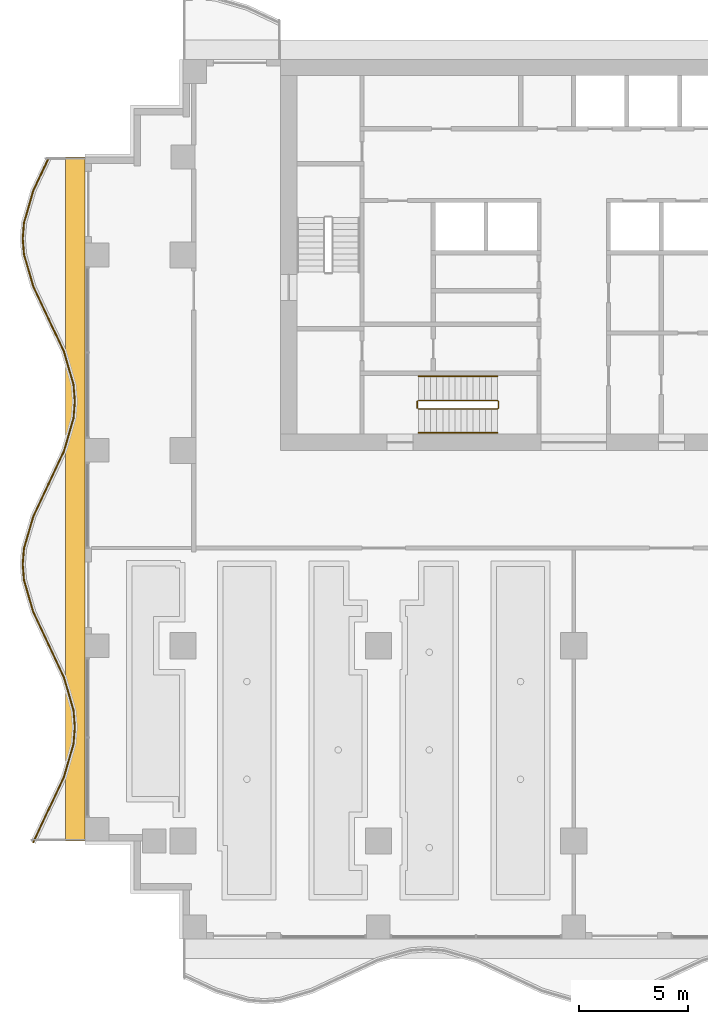
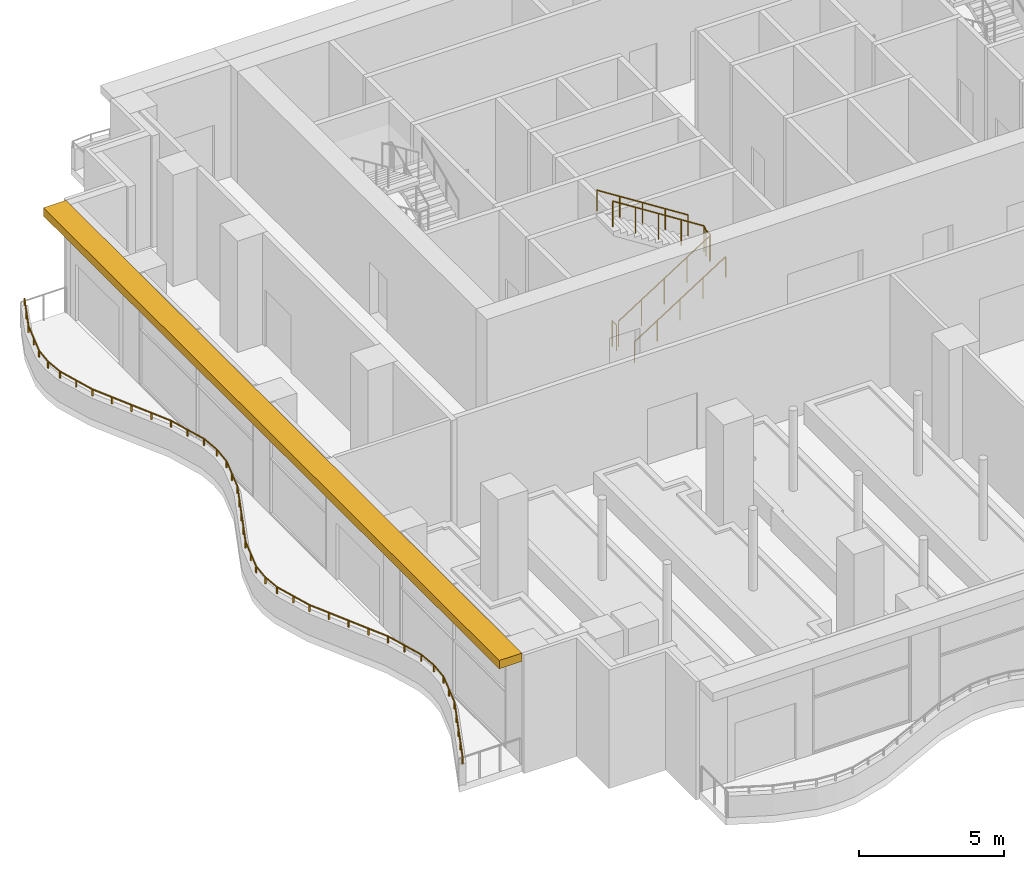
# One storey, part 13 of 16: 5 railings, 1 shading device.
"""IFC4 building model written with IfcOpenShell, lengths in metres."""

from ifc_helpers import new_model, si_unit, direction, frame, origin, origin_2d, place, context, subcontext, project, spatial, polyline, rectangle, circle, outline, extrude, material, layer, layer_set, type_object, element, save


model = new_model("IFC4")

# Units and contexts
model_context = context("Model", 3, precision=1e-05, world=origin(), true_north=direction((0.0, 1.0)))
body_context = subcontext(model_context, "Body", "Model", "MODEL_VIEW")
ifc_project = project(units=[si_unit("LENGTHUNIT", "METRE"), si_unit("AREAUNIT", "SQUARE_METRE"), si_unit("VOLUMEUNIT", "CUBIC_METRE"), si_unit("PLANEANGLEUNIT", "RADIAN"), si_unit("MASSUNIT", "GRAM", prefix="KILO")], contexts=[model_context])

# Site, building, storey
site_placement = place(None, origin())
site = spatial("IfcSite", under=ifc_project, at=site_placement, CompositionType="ELEMENT")
building_placement = place(site_placement, origin())
building = spatial("IfcBuilding", under=site, at=building_placement, Name="Orbiselva Terraces", CompositionType="ELEMENT")
storey_placement = place(building_placement, frame((0.0, 0.0, 174.4)))
storey = spatial("IfcBuildingStorey", under=building, at=storey_placement, Name="L44", CompositionType="ELEMENT", Elevation=174.4)

# Railings
ifc_material_1 = material(Name="Stainless steel", Category="steel")
railing_type_1 = type_object("IfcRailingType", Name="CORE-GUARD-1100", PredefinedType="GUARDRAIL", material=ifc_material_1)
railing_1_placement = place(storey_placement, frame((-7.15, 6.4, 0.178571)))
element("IfcRailing", 1, at=railing_1_placement, inside=storey, type_object=railing_type_1, Name="L44 S3 stair guard 1", PredefinedType="GUARDRAIL", context=body_context, shape_type="SweptSolid", body=[
    extrude(circle(Radius=0.024, at=origin_2d()), frame((0.0, 0.0, 1.081), z_axis=(0.843129645223, 0.0, 0.537710332192), x_axis=(0.0, 1.0, 0.0)), (0.0, 0.0, 1.0), 4.317248),
    extrude(circle(Radius=0.024, at=origin_2d()), frame((3.64, 0.0, 3.402429), z_axis=(0.707106781187, 0.707106781187, 0.0), x_axis=(-0.707106781187, 0.707106781187, 0.0)), (0.0, 0.0, 1.0), 0.070711),
    extrude(circle(Radius=0.024, at=origin_2d()), frame((3.69, 0.05, 3.402429), z_axis=(0.0, 1.0, 0.0), x_axis=(-1.0, 0.0, 0.0)), (0.0, 0.0, 1.0), 0.3),
    extrude(circle(Radius=0.024, at=origin_2d()), frame((3.69, 0.35, 3.402429), z_axis=(-0.260333341268, 0.260333341268, 0.92975970167), x_axis=(-0.707106781187, -0.707106781187, 0.0)), (0.0, 0.0, 1.0), 0.192061),
    extrude(circle(Radius=0.024, at=origin_2d()), frame((3.64, 0.4, 3.581), z_axis=(-0.843129645223, 0.0, 0.537710332192), x_axis=(0.0, -1.0, 0.0)), (0.0, 0.0, 1.0), 4.317248),
    extrude(circle(Radius=0.021, at=origin_2d()), origin(), (0.0, 0.0, 1.0), 1.057),
    extrude(circle(Radius=0.021, at=origin_2d()), frame((0.91, 0.0, 0.580357)), (0.0, 0.0, 1.0), 1.057),
    extrude(circle(Radius=0.021, at=origin_2d()), frame((1.82, 0.0, 1.160714)), (0.0, 0.0, 1.0), 1.057),
    extrude(circle(Radius=0.021, at=origin_2d()), frame((2.73, 0.0, 1.741072)), (0.0, 0.0, 1.0), 1.057),
    extrude(circle(Radius=0.021, at=origin_2d()), frame((3.64, 0.0, 2.321429)), (0.0, 0.0, 1.0), 1.057),
    extrude(circle(Radius=0.021, at=origin_2d()), frame((3.69, 0.05, 2.321429)), (0.0, 0.0, 1.0), 1.057),
    extrude(circle(Radius=0.021, at=origin_2d()), frame((3.69, 0.35, 2.321429)), (0.0, 0.0, 1.0), 1.057),
    extrude(circle(Radius=0.021, at=origin_2d()), frame((3.64, 0.4, 2.5)), (0.0, 0.0, 1.0), 1.057),
    extrude(circle(Radius=0.021, at=origin_2d()), frame((2.73, 0.4, 3.080357)), (0.0, 0.0, 1.0), 1.057),
    extrude(circle(Radius=0.021, at=origin_2d()), frame((1.82, 0.4, 3.660714)), (0.0, 0.0, 1.0), 1.057),
    extrude(circle(Radius=0.021, at=origin_2d()), frame((0.91, 0.4, 4.241072)), (0.0, 0.0, 1.0), 1.057),
    extrude(circle(Radius=0.021, at=origin_2d()), frame((0.0, 0.4, 4.821429)), (0.0, 0.0, 1.0), 1.057),
])
railing_2_placement = place(storey_placement, frame((-7.2, 6.45, 0.0)))
element("IfcRailing", 2, at=railing_2_placement, inside=storey, type_object=railing_type_1, Name="L44 S3 stair guard 2", PredefinedType="GUARDRAIL", context=body_context, shape_type="SweptSolid", body=[
    extrude(circle(Radius=0.024, at=origin_2d()), frame((0.0, 0.0, 1.081), z_axis=(0.0, 1.0, 0.0), x_axis=(-1.0, 0.0, 0.0)), (0.0, 0.0, 1.0), 0.3),
    extrude(circle(Radius=0.021, at=origin_2d()), origin(), (0.0, 0.0, 1.0), 1.057),
    extrude(circle(Radius=0.021, at=origin_2d()), frame((0.0, 0.3, 0.0)), (0.0, 0.0, 1.0), 1.057),
])
railing_type_2 = type_object("IfcRailingType", Name="CORE-HANDRAIL-900", PredefinedType="HANDRAIL", material=ifc_material_1)
railing_3_placement = place(storey_placement, frame((-7.15, 5.3, 0.178571)))
element("IfcRailing", 3, at=railing_3_placement, inside=storey, type_object=railing_type_2, Name="L44 S3 stair handrail 1", PredefinedType="HANDRAIL", context=body_context, shape_type="SweptSolid", body=[
    extrude(circle(Radius=0.024, at=origin_2d()), frame((0.0, 0.0, 0.876), z_axis=(0.843129645223, 0.0, 0.537710332192), x_axis=(0.0, 1.0, 0.0)), (0.0, 0.0, 1.0), 4.317248),
    extrude(circle(Radius=0.021, at=origin_2d()), origin(), (0.0, 0.0, 1.0), 0.852),
    extrude(circle(Radius=0.021, at=origin_2d()), frame((0.91, 0.0, 0.580357)), (0.0, 0.0, 1.0), 0.852),
    extrude(circle(Radius=0.021, at=origin_2d()), frame((1.82, 0.0, 1.160714)), (0.0, 0.0, 1.0), 0.852),
    extrude(circle(Radius=0.021, at=origin_2d()), frame((2.73, 0.0, 1.741072)), (0.0, 0.0, 1.0), 0.852),
    extrude(circle(Radius=0.021, at=origin_2d()), frame((3.64, 0.0, 2.321429)), (0.0, 0.0, 1.0), 0.852),
])
railing_4_placement = place(storey_placement, frame((-3.51, 7.9, 2.678571)))
element("IfcRailing", 4, at=railing_4_placement, inside=storey, type_object=railing_type_2, Name="L44 S3 stair handrail 2", PredefinedType="HANDRAIL", context=body_context, shape_type="SweptSolid", body=[
    extrude(circle(Radius=0.024, at=origin_2d()), frame((0.0, 0.0, 0.876), z_axis=(-0.843129645223, 0.0, 0.537710332192), x_axis=(0.0, -1.0, 0.0)), (0.0, 0.0, 1.0), 4.317248),
    extrude(circle(Radius=0.021, at=origin_2d()), origin(), (0.0, 0.0, 1.0), 0.852),
    extrude(circle(Radius=0.021, at=origin_2d()), frame((-0.91, 0.0, 0.580357)), (0.0, 0.0, 1.0), 0.852),
    extrude(circle(Radius=0.021, at=origin_2d()), frame((-1.82, 0.0, 1.160714)), (0.0, 0.0, 1.0), 0.852),
    extrude(circle(Radius=0.021, at=origin_2d()), frame((-2.73, 0.0, 1.741072)), (0.0, 0.0, 1.0), 0.852),
    extrude(circle(Radius=0.021, at=origin_2d()), frame((-3.64, 0.0, 2.321429)), (0.0, 0.0, 1.0), 0.852),
])
ifc_material_2 = material(Name="Bonded two-ply safety glass balustrade, stainless steel posts", Category="steel")
railing_type_3 = type_object("IfcRailingType", Name="ENV-BALUSTRADE-1200", PredefinedType="BALUSTRADE", material=ifc_material_2)
railing_5_placement = place(storey_placement, frame((-24.186882, 17.946809, 0.9)))
element("IfcRailing", 5, at=railing_5_placement, inside=storey, type_object=railing_type_3, Name="Balcony balustrade L44 W", PredefinedType="BALUSTRADE", context=body_context, shape_type="SweptSolid", body=[
    extrude(outline(polyline([(0.028868, 0.0), (0.014434, 0.025), (-0.014434, 0.025), (-0.028868, 0.0), (-0.014434, -0.025), (0.014434, -0.025), (0.028868, 0.0)])), frame((0.0, 0.0, 0.275), z_axis=(-0.425529912322, -0.904944359461, 0.0), x_axis=(0.904944359461, -0.425529912322, 0.0)), (0.0, 0.0, 1.0), 1.647746),
    extrude(outline(polyline([(0.028868, 0.0), (0.014434, 0.025), (-0.014434, 0.025), (-0.028868, 0.0), (-0.014434, -0.025), (0.014434, -0.025), (0.028868, 0.0)])), frame((-0.701165, -1.491118, 0.275), z_axis=(-0.279071528957, -0.960270317007, 0.0), x_axis=(0.960270317007, -0.279071528957, 0.0)), (0.0, 0.0, 1.0), 1.539408),
    extrude(outline(polyline([(0.028868, 0.0), (0.014434, 0.025), (-0.014434, 0.025), (-0.028868, 0.0), (-0.014434, -0.025), (0.014434, -0.025), (0.028868, 0.0)])), frame((-1.13077, -2.969366, 0.275), z_axis=(-0.078069536776, -0.996947916106, 0.0), x_axis=(0.996947916106, -0.078069536776, 0.0)), (0.0, 0.0, 1.0), 0.72967),
    extrude(outline(polyline([(0.028868, 0.0), (0.014434, 0.025), (-0.014434, 0.025), (-0.028868, 0.0), (-0.014434, -0.025), (0.014434, -0.025), (0.028868, 0.0)])), frame((-1.187735, -3.696809, 0.275), z_axis=(0.078069536776, -0.996947916106, 0.0), x_axis=(0.996947916106, 0.078069536776, 0.0)), (0.0, 0.0, 1.0), 0.72967),
    extrude(outline(polyline([(0.028868, 0.0), (0.014434, 0.025), (-0.014434, 0.025), (-0.028868, 0.0), (-0.014434, -0.025), (0.014434, -0.025), (0.028868, 0.0)])), frame((-1.13077, -4.424252, 0.275), z_axis=(0.279071528957, -0.960270317007, 0.0), x_axis=(0.960270317007, 0.279071528957, 0.0)), (0.0, 0.0, 1.0), 1.539408),
    extrude(outline(polyline([(0.028868, 0.0), (0.014434, 0.025), (-0.014434, 0.025), (-0.028868, 0.0), (-0.014434, -0.025), (0.014434, -0.025), (0.028868, 0.0)])), frame((-0.701165, -5.9025, 0.275), z_axis=(0.425529912322, -0.904944359461, 0.0), x_axis=(0.904944359461, 0.425529912322, 0.0)), (0.0, 0.0, 1.0), 1.647746),
    extrude(outline(polyline([(0.028868, 0.0), (0.014434, 0.025), (-0.014434, 0.025), (-0.028868, 0.0), (-0.014434, -0.025), (0.014434, -0.025), (0.028868, 0.0)])), frame((0.0, -7.393618, 0.275), z_axis=(0.425530342069, -0.904944157382, 0.0), x_axis=(0.904944157382, 0.425530342069, 0.0)), (0.0, 0.0, 1.0), 1.667376),
    extrude(outline(polyline([(0.028868, 0.0), (0.014434, 0.025), (-0.014434, 0.025), (-0.028868, 0.0), (-0.014434, -0.025), (0.014434, -0.025), (0.028868, 0.0)])), frame((0.709519, -8.9025, 0.275), z_axis=(0.279070928786, -0.960270491427, 0.0), x_axis=(0.960270491427, 0.279070928786, 0.0)), (0.0, 0.0, 1.0), 1.584712),
    extrude(outline(polyline([(0.028868, 0.0), (0.014434, 0.025), (-0.014434, 0.025), (-0.028868, 0.0), (-0.014434, -0.025), (0.014434, -0.025), (0.028868, 0.0)])), frame((1.151766, -10.424252, 0.275), z_axis=(0.078071061106, -0.996947796737, 0.0), x_axis=(0.996947796737, 0.078071061106, 0.0)), (0.0, 0.0, 1.0), 0.774922),
    extrude(outline(polyline([(0.028868, 0.0), (0.014434, 0.025), (-0.014434, 0.025), (-0.028868, 0.0), (-0.014434, -0.025), (0.014434, -0.025), (0.028868, 0.0)])), frame((1.212265, -11.196809, 0.275), z_axis=(-0.078071061106, -0.996947796737, 0.0), x_axis=(0.996947796737, -0.078071061106, 0.0)), (0.0, 0.0, 1.0), 0.774922),
    extrude(outline(polyline([(0.028868, 0.0), (0.014434, 0.025), (-0.014434, 0.025), (-0.028868, 0.0), (-0.014434, -0.025), (0.014434, -0.025), (0.028868, 0.0)])), frame((1.151766, -11.969366, 0.275), z_axis=(-0.279070928786, -0.960270491427, 0.0), x_axis=(0.960270491427, -0.279070928786, 0.0)), (0.0, 0.0, 1.0), 1.584712),
    extrude(outline(polyline([(0.028868, 0.0), (0.014434, 0.025), (-0.014434, 0.025), (-0.028868, 0.0), (-0.014434, -0.025), (0.014434, -0.025), (0.028868, 0.0)])), frame((0.709519, -13.491118, 0.275), z_axis=(-0.425530342069, -0.904944157382, 0.0), x_axis=(0.904944157382, -0.425530342069, 0.0)), (0.0, 0.0, 1.0), 1.667376),
    extrude(outline(polyline([(0.028868, 0.0), (0.014434, 0.025), (-0.014434, 0.025), (-0.028868, 0.0), (-0.014434, -0.025), (0.014434, -0.025), (0.028868, 0.0)])), frame((0.0, -15.0, 0.275), z_axis=(-0.425529912322, -0.904944359461, 0.0), x_axis=(0.904944359461, -0.425529912322, 0.0)), (0.0, 0.0, 1.0), 1.647746),
    extrude(outline(polyline([(0.028868, 0.0), (0.014434, 0.025), (-0.014434, 0.025), (-0.028868, 0.0), (-0.014434, -0.025), (0.014434, -0.025), (0.028868, 0.0)])), frame((-0.701165, -16.491118, 0.275), z_axis=(-0.279071528957, -0.960270317007, 0.0), x_axis=(0.960270317007, -0.279071528957, 0.0)), (0.0, 0.0, 1.0), 1.539408),
    extrude(outline(polyline([(0.028868, 0.0), (0.014434, 0.025), (-0.014434, 0.025), (-0.028868, 0.0), (-0.014434, -0.025), (0.014434, -0.025), (0.028868, 0.0)])), frame((-1.13077, -17.969366, 0.275), z_axis=(-0.078069536776, -0.996947916106, 0.0), x_axis=(0.996947916106, -0.078069536776, 0.0)), (0.0, 0.0, 1.0), 0.72967),
    extrude(outline(polyline([(0.028868, 0.0), (0.014434, 0.025), (-0.014434, 0.025), (-0.028868, 0.0), (-0.014434, -0.025), (0.014434, -0.025), (0.028868, 0.0)])), frame((-1.187735, -18.696809, 0.275), z_axis=(0.078069536776, -0.996947916106, 0.0), x_axis=(0.996947916106, 0.078069536776, 0.0)), (0.0, 0.0, 1.0), 0.72967),
    extrude(outline(polyline([(0.028868, 0.0), (0.014434, 0.025), (-0.014434, 0.025), (-0.028868, 0.0), (-0.014434, -0.025), (0.014434, -0.025), (0.028868, 0.0)])), frame((-1.13077, -19.424252, 0.275), z_axis=(0.279071528957, -0.960270317007, 0.0), x_axis=(0.960270317007, 0.279071528957, 0.0)), (0.0, 0.0, 1.0), 1.539408),
    extrude(outline(polyline([(0.028868, 0.0), (0.014434, 0.025), (-0.014434, 0.025), (-0.028868, 0.0), (-0.014434, -0.025), (0.014434, -0.025), (0.028868, 0.0)])), frame((-0.701165, -20.9025, 0.275), z_axis=(0.425529912322, -0.904944359461, 0.0), x_axis=(0.904944359461, 0.425529912322, 0.0)), (0.0, 0.0, 1.0), 1.647746),
    extrude(outline(polyline([(0.028868, 0.0), (0.014434, 0.025), (-0.014434, 0.025), (-0.028868, 0.0), (-0.014434, -0.025), (0.014434, -0.025), (0.028868, 0.0)])), frame((0.0, -22.393618, 0.275), z_axis=(0.425530342069, -0.904944157382, 0.0), x_axis=(0.904944157382, 0.425530342069, 0.0)), (0.0, 0.0, 1.0), 1.667376),
    extrude(outline(polyline([(0.028868, 0.0), (0.014434, 0.025), (-0.014434, 0.025), (-0.028868, 0.0), (-0.014434, -0.025), (0.014434, -0.025), (0.028868, 0.0)])), frame((0.709519, -23.9025, 0.275), z_axis=(0.279070928786, -0.960270491427, 0.0), x_axis=(0.960270491427, 0.279070928786, 0.0)), (0.0, 0.0, 1.0), 1.584712),
    extrude(outline(polyline([(0.028868, 0.0), (0.014434, 0.025), (-0.014434, 0.025), (-0.028868, 0.0), (-0.014434, -0.025), (0.014434, -0.025), (0.028868, 0.0)])), frame((1.151766, -25.424252, 0.275), z_axis=(0.078071061106, -0.996947796737, 0.0), x_axis=(0.996947796737, 0.078071061106, 0.0)), (0.0, 0.0, 1.0), 0.774922),
    extrude(outline(polyline([(0.028868, 0.0), (0.014434, 0.025), (-0.014434, 0.025), (-0.028868, 0.0), (-0.014434, -0.025), (0.014434, -0.025), (0.028868, 0.0)])), frame((1.212265, -26.196809, 0.275), z_axis=(-0.078071061106, -0.996947796737, 0.0), x_axis=(0.996947796737, -0.078071061106, 0.0)), (0.0, 0.0, 1.0), 0.774922),
    extrude(outline(polyline([(0.028868, 0.0), (0.014434, 0.025), (-0.014434, 0.025), (-0.028868, 0.0), (-0.014434, -0.025), (0.014434, -0.025), (0.028868, 0.0)])), frame((1.151766, -26.969366, 0.275), z_axis=(-0.279070928786, -0.960270491427, 0.0), x_axis=(0.960270491427, -0.279070928786, 0.0)), (0.0, 0.0, 1.0), 1.584712),
    extrude(outline(polyline([(0.028868, 0.0), (0.014434, 0.025), (-0.014434, 0.025), (-0.028868, 0.0), (-0.014434, -0.025), (0.014434, -0.025), (0.028868, 0.0)])), frame((0.709519, -28.491118, 0.275), z_axis=(-0.425530342069, -0.904944157382, 0.0), x_axis=(0.904944157382, -0.425530342069, 0.0)), (0.0, 0.0, 1.0), 1.667376),
    extrude(outline(polyline([(0.028868, 0.0), (0.014434, 0.025), (-0.014434, 0.025), (-0.028868, 0.0), (-0.014434, -0.025), (0.014434, -0.025), (0.028868, 0.0)])), frame((0.0, -30.0, 0.275), z_axis=(-0.425530128467, -0.904944257823, 0.0), x_axis=(0.904944257823, -0.425530128467, 0.0)), (0.0, 0.0, 1.0), 1.657561),
    extrude(rectangle(XDim=0.05, YDim=0.05, at=origin_2d()), origin(), (0.0, 0.0, 1.0), 0.25),
    extrude(rectangle(XDim=0.05, YDim=0.05, at=origin_2d()), frame((-0.350582, -0.745559, 0.0)), (0.0, 0.0, 1.0), 0.25),
    extrude(rectangle(XDim=0.05, YDim=0.05, at=origin_2d()), frame((-0.701165, -1.491118, 0.0)), (0.0, 0.0, 1.0), 0.25),
    extrude(rectangle(XDim=0.05, YDim=0.05, at=origin_2d()), frame((-0.915967, -2.230242, 0.0)), (0.0, 0.0, 1.0), 0.25),
    extrude(rectangle(XDim=0.05, YDim=0.05, at=origin_2d()), frame((-1.13077, -2.969366, 0.0)), (0.0, 0.0, 1.0), 0.25),
    extrude(rectangle(XDim=0.05, YDim=0.05, at=origin_2d()), frame((-1.187735, -3.696809, 0.0)), (0.0, 0.0, 1.0), 0.25),
    extrude(rectangle(XDim=0.05, YDim=0.05, at=origin_2d()), frame((-1.13077, -4.424252, 0.0)), (0.0, 0.0, 1.0), 0.25),
    extrude(rectangle(XDim=0.05, YDim=0.05, at=origin_2d()), frame((-0.915967, -5.163376, 0.0)), (0.0, 0.0, 1.0), 0.25),
    extrude(rectangle(XDim=0.05, YDim=0.05, at=origin_2d()), frame((-0.701165, -5.9025, 0.0)), (0.0, 0.0, 1.0), 0.25),
    extrude(rectangle(XDim=0.05, YDim=0.05, at=origin_2d()), frame((-0.350582, -6.648059, 0.0)), (0.0, 0.0, 1.0), 0.25),
    extrude(rectangle(XDim=0.05, YDim=0.05, at=origin_2d()), frame((0.0, -7.393618, 0.0)), (0.0, 0.0, 1.0), 0.25),
    extrude(rectangle(XDim=0.05, YDim=0.05, at=origin_2d()), frame((0.35476, -8.148059, 0.0)), (0.0, 0.0, 1.0), 0.25),
    extrude(rectangle(XDim=0.05, YDim=0.05, at=origin_2d()), frame((0.709519, -8.9025, 0.0)), (0.0, 0.0, 1.0), 0.25),
    extrude(rectangle(XDim=0.05, YDim=0.05, at=origin_2d()), frame((0.930643, -9.663376, 0.0)), (0.0, 0.0, 1.0), 0.25),
    extrude(rectangle(XDim=0.05, YDim=0.05, at=origin_2d()), frame((1.151766, -10.424252, 0.0)), (0.0, 0.0, 1.0), 0.25),
    extrude(rectangle(XDim=0.05, YDim=0.05, at=origin_2d()), frame((1.212265, -11.196809, 0.0)), (0.0, 0.0, 1.0), 0.25),
    extrude(rectangle(XDim=0.05, YDim=0.05, at=origin_2d()), frame((1.151766, -11.969366, 0.0)), (0.0, 0.0, 1.0), 0.25),
    extrude(rectangle(XDim=0.05, YDim=0.05, at=origin_2d()), frame((0.930643, -12.730242, 0.0)), (0.0, 0.0, 1.0), 0.25),
    extrude(rectangle(XDim=0.05, YDim=0.05, at=origin_2d()), frame((0.709519, -13.491118, 0.0)), (0.0, 0.0, 1.0), 0.25),
    extrude(rectangle(XDim=0.05, YDim=0.05, at=origin_2d()), frame((0.35476, -14.245559, 0.0)), (0.0, 0.0, 1.0), 0.25),
    extrude(rectangle(XDim=0.05, YDim=0.05, at=origin_2d()), frame((0.0, -15.0, 0.0)), (0.0, 0.0, 1.0), 0.25),
    extrude(rectangle(XDim=0.05, YDim=0.05, at=origin_2d()), frame((-0.350582, -15.745559, 0.0)), (0.0, 0.0, 1.0), 0.25),
    extrude(rectangle(XDim=0.05, YDim=0.05, at=origin_2d()), frame((-0.701165, -16.491118, 0.0)), (0.0, 0.0, 1.0), 0.25),
    extrude(rectangle(XDim=0.05, YDim=0.05, at=origin_2d()), frame((-0.915967, -17.230242, 0.0)), (0.0, 0.0, 1.0), 0.25),
    extrude(rectangle(XDim=0.05, YDim=0.05, at=origin_2d()), frame((-1.13077, -17.969366, 0.0)), (0.0, 0.0, 1.0), 0.25),
    extrude(rectangle(XDim=0.05, YDim=0.05, at=origin_2d()), frame((-1.187735, -18.696809, 0.0)), (0.0, 0.0, 1.0), 0.25),
    extrude(rectangle(XDim=0.05, YDim=0.05, at=origin_2d()), frame((-1.13077, -19.424252, 0.0)), (0.0, 0.0, 1.0), 0.25),
    extrude(rectangle(XDim=0.05, YDim=0.05, at=origin_2d()), frame((-0.915967, -20.163376, 0.0)), (0.0, 0.0, 1.0), 0.25),
    extrude(rectangle(XDim=0.05, YDim=0.05, at=origin_2d()), frame((-0.701165, -20.9025, 0.0)), (0.0, 0.0, 1.0), 0.25),
    extrude(rectangle(XDim=0.05, YDim=0.05, at=origin_2d()), frame((-0.350582, -21.648059, 0.0)), (0.0, 0.0, 1.0), 0.25),
    extrude(rectangle(XDim=0.05, YDim=0.05, at=origin_2d()), frame((0.0, -22.393618, 0.0)), (0.0, 0.0, 1.0), 0.25),
    extrude(rectangle(XDim=0.05, YDim=0.05, at=origin_2d()), frame((0.35476, -23.148059, 0.0)), (0.0, 0.0, 1.0), 0.25),
    extrude(rectangle(XDim=0.05, YDim=0.05, at=origin_2d()), frame((0.709519, -23.9025, 0.0)), (0.0, 0.0, 1.0), 0.25),
    extrude(rectangle(XDim=0.05, YDim=0.05, at=origin_2d()), frame((0.930643, -24.663376, 0.0)), (0.0, 0.0, 1.0), 0.25),
    extrude(rectangle(XDim=0.05, YDim=0.05, at=origin_2d()), frame((1.151766, -25.424252, 0.0)), (0.0, 0.0, 1.0), 0.25),
    extrude(rectangle(XDim=0.05, YDim=0.05, at=origin_2d()), frame((1.212265, -26.196809, 0.0)), (0.0, 0.0, 1.0), 0.25),
    extrude(rectangle(XDim=0.05, YDim=0.05, at=origin_2d()), frame((1.151766, -26.969366, 0.0)), (0.0, 0.0, 1.0), 0.25),
    extrude(rectangle(XDim=0.05, YDim=0.05, at=origin_2d()), frame((0.930643, -27.730242, 0.0)), (0.0, 0.0, 1.0), 0.25),
    extrude(rectangle(XDim=0.05, YDim=0.05, at=origin_2d()), frame((0.709519, -28.491118, 0.0)), (0.0, 0.0, 1.0), 0.25),
    extrude(rectangle(XDim=0.05, YDim=0.05, at=origin_2d()), frame((0.35476, -29.245559, 0.0)), (0.0, 0.0, 1.0), 0.25),
    extrude(rectangle(XDim=0.05, YDim=0.05, at=origin_2d()), frame((0.0, -30.0, 0.0)), (0.0, 0.0, 1.0), 0.25),
    extrude(rectangle(XDim=0.05, YDim=0.05, at=origin_2d()), frame((-0.352671, -30.75, 0.0)), (0.0, 0.0, 1.0), 0.25),
    extrude(rectangle(XDim=0.05, YDim=0.05, at=origin_2d()), frame((-0.705342, -31.5, 0.0)), (0.0, 0.0, 1.0), 0.25),
])

# Shading device
ifc_material_3 = material(Name="Terracotta baguette sunshade", Category="masonry")
ifc_layer = layer(ifc_material_3, 0.35)
ifc_layer_set = layer_set([ifc_layer], Name="Terracotta baguette sunshade")
shading_device_type = type_object("IfcShadingDeviceType", Name="ENV-SUNSHADE-900x350", PredefinedType="USERDEFINED", material=ifc_layer_set)
shading_device_placement = place(storey_placement, frame((0.0, 0.0, 4.35)))
element("IfcShadingDevice", 6, at=shading_device_placement, inside=storey, type_object=shading_device_type, Name="Sunshade band L44 W", ObjectType="SUNSHADE", PredefinedType="USERDEFINED", context=body_context, shape_type="SweptSolid", body=[
    extrude(outline(polyline([(-23.4, 18.0), (-23.4, -13.5), (-22.5, -13.5), (-22.5, 18.0), (-23.4, 18.0)])), origin(), (0.0, 0.0, 1.0), 0.35),
])

save(model, "model.ifc")
